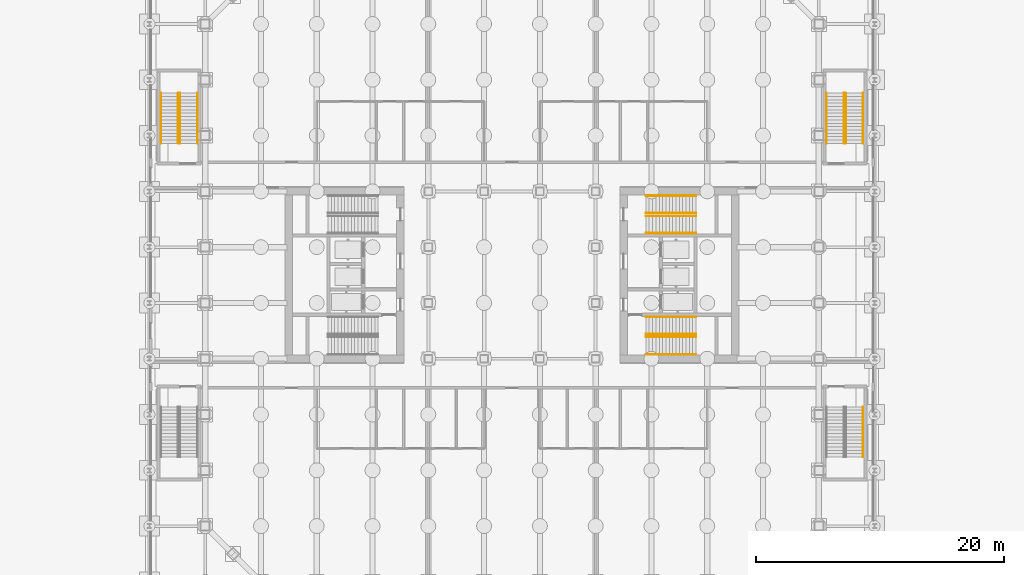
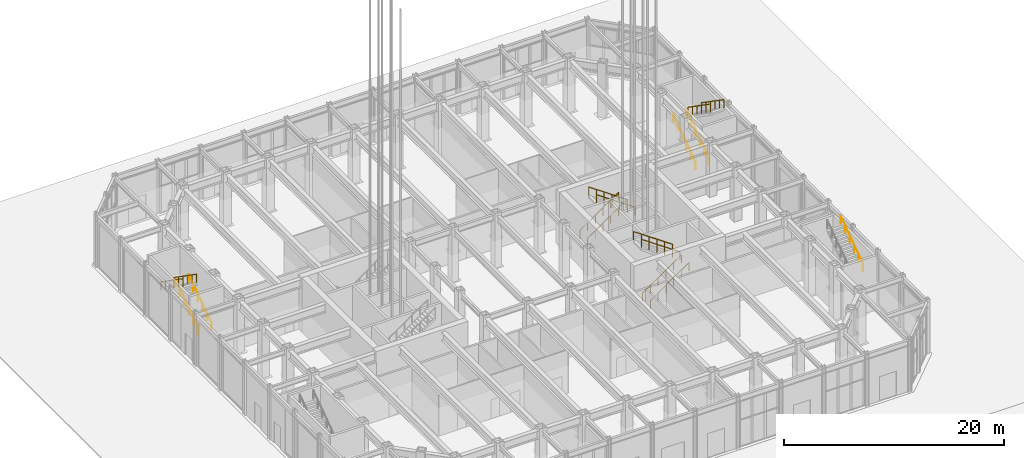
# One storey, part 38 of 39: 17 railings.
"""IFC4 building model written with IfcOpenShell, lengths in metres."""

from ifc_helpers import new_model, si_unit, direction, frame, origin, origin_2d, place, context, subcontext, project, spatial, circle, extrude, material, type_object, element, save


model = new_model("IFC4")

# Units and contexts
model_context = context("Model", 3, precision=1e-05, world=origin(), true_north=direction((0.0, 1.0)))
body_context = subcontext(model_context, "Body", "Model", "MODEL_VIEW")
ifc_project = project(units=[si_unit("LENGTHUNIT", "METRE"), si_unit("AREAUNIT", "SQUARE_METRE"), si_unit("VOLUMEUNIT", "CUBIC_METRE"), si_unit("PLANEANGLEUNIT", "RADIAN"), si_unit("MASSUNIT", "GRAM", prefix="KILO")], contexts=[model_context])

# Site, building, storey
site_placement = place(None, origin())
site = spatial("IfcSite", under=ifc_project, at=site_placement, CompositionType="ELEMENT")
building_placement = place(site_placement, origin())
building = spatial("IfcBuilding", under=site, at=building_placement, Name="Msasa Ring Tower", CompositionType="ELEMENT")
storey_placement = place(building_placement, origin())
storey = spatial("IfcBuildingStorey", under=building, at=storey_placement, Name="L00", CompositionType="ELEMENT", Elevation=0.0)

# Railings
ifc_material = material(Name="Stainless steel", Category="steel")
railing_type = type_object("IfcRailingType", Name="HR1 HANDRAIL 900", PredefinedType="HANDRAIL", material=ifc_material)
for number, where, name in (
    (1, (10.800048828125, -6.39990234375, 0.1875), "Handrail stair SEA L00 1"),
    (2, (10.800048828125, -5.0, 0.1875), "Handrail stair SEA L00 2"),
):
    element("IfcRailing", number, at=place(storey_placement, frame(where)), inside=storey, type_object=railing_type, Name=name, PredefinedType="HANDRAIL", context=body_context, shape_type="SweptSolid", body=[
        extrude(circle(Radius=0.02392578125, at=origin_2d()), frame((0.0, 0.0, 0.8759765625), z_axis=(0.821373187493, 0.0, 0.570391170047), x_axis=(0.0, 1.0, 0.0)), (0.0, 0.0, 1.0), 4.930908203125),
        extrude(circle(Radius=0.02099609375, at=origin_2d()), origin(), (0.0, 0.0, 1.0), 0.851806640625),
        extrude(circle(Radius=0.02099609375, at=origin_2d()), frame((0.81005859375, 0.0, 0.5625)), (0.0, 0.0, 1.0), 0.851806640625),
        extrude(circle(Radius=0.02099609375, at=origin_2d()), frame((1.6201171875, 0.0, 1.125)), (0.0, 0.0, 1.0), 0.851806640625),
        extrude(circle(Radius=0.02099609375, at=origin_2d()), frame((2.429931640625, 0.0, 1.6875)), (0.0, 0.0, 1.0), 0.851806640625),
        extrude(circle(Radius=0.02099609375, at=origin_2d()), frame((3.239990234375, 0.0, 2.25)), (0.0, 0.0, 1.0), 0.851806640625),
        extrude(circle(Radius=0.02099609375, at=origin_2d()), frame((4.050048828125, 0.0, 2.8125)), (0.0, 0.0, 1.0), 0.851806640625),
    ])
for number, where, name in (
    (3, (14.85009765625, -4.77490234375, 3.1875), "Handrail stair SEA L00 3"),
    (4, (14.85009765625, -3.375, 3.1875), "Handrail stair SEA L00 4"),
):
    element("IfcRailing", number, at=place(storey_placement, frame(where)), inside=storey, type_object=railing_type, Name=name, PredefinedType="HANDRAIL", context=body_context, shape_type="SweptSolid", body=[
        extrude(circle(Radius=0.02392578125, at=origin_2d()), frame((0.0, 0.0, 0.8759765625), z_axis=(-0.821373187493, 0.0, 0.570391170047), x_axis=(0.0, -1.0, 0.0)), (0.0, 0.0, 1.0), 4.930908203125),
        extrude(circle(Radius=0.02099609375, at=origin_2d()), origin(), (0.0, 0.0, 1.0), 0.851806640625),
        extrude(circle(Radius=0.02099609375, at=origin_2d()), frame((-0.81005859375, 0.0, 0.5625)), (0.0, 0.0, 1.0), 0.851806640625),
        extrude(circle(Radius=0.02099609375, at=origin_2d()), frame((-1.6201171875, 0.0, 1.125)), (0.0, 0.0, 1.0), 0.851806640625),
        extrude(circle(Radius=0.02099609375, at=origin_2d()), frame((-2.429931640625, 0.0, 1.6875)), (0.0, 0.0, 1.0), 0.851806640625),
        extrude(circle(Radius=0.02099609375, at=origin_2d()), frame((-3.239990234375, 0.0, 2.25)), (0.0, 0.0, 1.0), 0.851806640625),
        extrude(circle(Radius=0.02099609375, at=origin_2d()), frame((-4.050048828125, 0.0, 2.8125)), (0.0, 0.0, 1.0), 0.851806640625),
    ])
for number, where, name in (
    (5, (10.800048828125, 5.0, 0.1875), "Handrail stair SEB L00 1"),
    (6, (10.800048828125, 6.39990234375, 0.1875), "Handrail stair SEB L00 2"),
):
    element("IfcRailing", number, at=place(storey_placement, frame(where)), inside=storey, type_object=railing_type, Name=name, PredefinedType="HANDRAIL", context=body_context, shape_type="SweptSolid", body=[
        extrude(circle(Radius=0.02392578125, at=origin_2d()), frame((0.0, 0.0, 0.8759765625), z_axis=(0.821373187493, 0.0, 0.570391170047), x_axis=(0.0, 1.0, 0.0)), (0.0, 0.0, 1.0), 4.930908203125),
        extrude(circle(Radius=0.02099609375, at=origin_2d()), origin(), (0.0, 0.0, 1.0), 0.851806640625),
        extrude(circle(Radius=0.02099609375, at=origin_2d()), frame((0.81005859375, 0.0, 0.5625)), (0.0, 0.0, 1.0), 0.851806640625),
        extrude(circle(Radius=0.02099609375, at=origin_2d()), frame((1.6201171875, 0.0, 1.125)), (0.0, 0.0, 1.0), 0.851806640625),
        extrude(circle(Radius=0.02099609375, at=origin_2d()), frame((2.429931640625, 0.0, 1.6875)), (0.0, 0.0, 1.0), 0.851806640625),
        extrude(circle(Radius=0.02099609375, at=origin_2d()), frame((3.239990234375, 0.0, 2.25)), (0.0, 0.0, 1.0), 0.851806640625),
        extrude(circle(Radius=0.02099609375, at=origin_2d()), frame((4.050048828125, 0.0, 2.8125)), (0.0, 0.0, 1.0), 0.851806640625),
    ])
for number, where, name in (
    (7, (14.85009765625, 3.375, 3.1875), "Handrail stair SEB L00 3"),
    (8, (14.85009765625, 4.77490234375, 3.1875), "Handrail stair SEB L00 4"),
):
    element("IfcRailing", number, at=place(storey_placement, frame(where)), inside=storey, type_object=railing_type, Name=name, PredefinedType="HANDRAIL", context=body_context, shape_type="SweptSolid", body=[
        extrude(circle(Radius=0.02392578125, at=origin_2d()), frame((0.0, 0.0, 0.8759765625), z_axis=(-0.821373187493, 0.0, 0.570391170047), x_axis=(0.0, -1.0, 0.0)), (0.0, 0.0, 1.0), 4.930908203125),
        extrude(circle(Radius=0.02099609375, at=origin_2d()), origin(), (0.0, 0.0, 1.0), 0.851806640625),
        extrude(circle(Radius=0.02099609375, at=origin_2d()), frame((-0.81005859375, 0.0, 0.5625)), (0.0, 0.0, 1.0), 0.851806640625),
        extrude(circle(Radius=0.02099609375, at=origin_2d()), frame((-1.6201171875, 0.0, 1.125)), (0.0, 0.0, 1.0), 0.851806640625),
        extrude(circle(Radius=0.02099609375, at=origin_2d()), frame((-2.429931640625, 0.0, 1.6875)), (0.0, 0.0, 1.0), 0.851806640625),
        extrude(circle(Radius=0.02099609375, at=origin_2d()), frame((-3.239990234375, 0.0, 2.25)), (0.0, 0.0, 1.0), 0.851806640625),
        extrude(circle(Radius=0.02099609375, at=origin_2d()), frame((-4.050048828125, 0.0, 2.8125)), (0.0, 0.0, 1.0), 0.851806640625),
    ])
for number, where, name in (
    (9, (25.375, 10.625, 0.1875), "Handrail podium stair PEN L00 1"),
    (10, (26.77490234375, 10.625, 0.1875), "Handrail podium stair PEN L00 2"),
):
    element("IfcRailing", number, at=place(storey_placement, frame(where)), inside=storey, type_object=railing_type, Name=name, PredefinedType="HANDRAIL", context=body_context, shape_type="SweptSolid", body=[
        extrude(circle(Radius=0.02392578125, at=origin_2d()), frame((0.0, 0.0, 0.8759765625), z_axis=(0.0, 0.821373187493, 0.570391170047), x_axis=(-1.0, 0.0, 0.0)), (0.0, 0.0, 1.0), 4.930908203125),
        extrude(circle(Radius=0.02099609375, at=origin_2d()), origin(), (0.0, 0.0, 1.0), 0.851806640625),
        extrude(circle(Radius=0.02099609375, at=origin_2d()), frame((0.0, 0.81005859375, 0.5625)), (0.0, 0.0, 1.0), 0.851806640625),
        extrude(circle(Radius=0.02099609375, at=origin_2d()), frame((0.0, 1.6201171875, 1.125)), (0.0, 0.0, 1.0), 0.851806640625),
        extrude(circle(Radius=0.02099609375, at=origin_2d()), frame((0.0, 2.429931640625, 1.6875)), (0.0, 0.0, 1.0), 0.851806640625),
        extrude(circle(Radius=0.02099609375, at=origin_2d()), frame((0.0, 3.239990234375, 2.25)), (0.0, 0.0, 1.0), 0.851806640625),
        extrude(circle(Radius=0.02099609375, at=origin_2d()), frame((0.0, 4.050048828125, 2.8125)), (0.0, 0.0, 1.0), 0.851806640625),
    ])
for number, where, name in (
    (11, (26.925048828125, 14.675048828125, 3.1875), "Handrail podium stair PEN L00 3"),
    (12, (28.324951171875, 14.675048828125, 3.1875), "Handrail podium stair PEN L00 4"),
):
    element("IfcRailing", number, at=place(storey_placement, frame(where)), inside=storey, type_object=railing_type, Name=name, PredefinedType="HANDRAIL", context=body_context, shape_type="SweptSolid", body=[
        extrude(circle(Radius=0.02392578125, at=origin_2d()), frame((0.0, 0.0, 0.8759765625), z_axis=(0.0, -0.821373187493, 0.570391170047), x_axis=(1.0, 0.0, 0.0)), (0.0, 0.0, 1.0), 4.930908203125),
        extrude(circle(Radius=0.02099609375, at=origin_2d()), origin(), (0.0, 0.0, 1.0), 0.851806640625),
        extrude(circle(Radius=0.02099609375, at=origin_2d()), frame((0.0, -0.81005859375, 0.5625)), (0.0, 0.0, 1.0), 0.851806640625),
        extrude(circle(Radius=0.02099609375, at=origin_2d()), frame((0.0, -1.6201171875, 1.125)), (0.0, 0.0, 1.0), 0.851806640625),
        extrude(circle(Radius=0.02099609375, at=origin_2d()), frame((0.0, -2.429931640625, 1.6875)), (0.0, 0.0, 1.0), 0.851806640625),
        extrude(circle(Radius=0.02099609375, at=origin_2d()), frame((0.0, -3.239990234375, 2.25)), (0.0, 0.0, 1.0), 0.851806640625),
        extrude(circle(Radius=0.02099609375, at=origin_2d()), frame((0.0, -4.050048828125, 2.8125)), (0.0, 0.0, 1.0), 0.851806640625),
    ])
for number, where, name in (
    (13, (28.324951171875, -14.675048828125, 3.1875), "Handrail podium stair PES L00 4"),
    (14, (-26.77490234375, 10.625, 0.1875), "Handrail podium stair PWN L00 1"),
    (15, (-25.375, 10.625, 0.1875), "Handrail podium stair PWN L00 2"),
):
    element("IfcRailing", number, at=place(storey_placement, frame(where)), inside=storey, type_object=railing_type, Name=name, PredefinedType="HANDRAIL", context=body_context, shape_type="SweptSolid", body=[
        extrude(circle(Radius=0.02392578125, at=origin_2d()), frame((0.0, 0.0, 0.8759765625), z_axis=(0.0, 0.821373187493, 0.570391170047), x_axis=(-1.0, 0.0, 0.0)), (0.0, 0.0, 1.0), 4.930908203125),
        extrude(circle(Radius=0.02099609375, at=origin_2d()), origin(), (0.0, 0.0, 1.0), 0.851806640625),
        extrude(circle(Radius=0.02099609375, at=origin_2d()), frame((0.0, 0.81005859375, 0.5625)), (0.0, 0.0, 1.0), 0.851806640625),
        extrude(circle(Radius=0.02099609375, at=origin_2d()), frame((0.0, 1.6201171875, 1.125)), (0.0, 0.0, 1.0), 0.851806640625),
        extrude(circle(Radius=0.02099609375, at=origin_2d()), frame((0.0, 2.429931640625, 1.6875)), (0.0, 0.0, 1.0), 0.851806640625),
        extrude(circle(Radius=0.02099609375, at=origin_2d()), frame((0.0, 3.239990234375, 2.25)), (0.0, 0.0, 1.0), 0.851806640625),
        extrude(circle(Radius=0.02099609375, at=origin_2d()), frame((0.0, 4.050048828125, 2.8125)), (0.0, 0.0, 1.0), 0.851806640625),
    ])
for number, where, name in (
    (16, (-28.324951171875, 14.675048828125, 3.1875), "Handrail podium stair PWN L00 3"),
    (17, (-26.925048828125, 14.675048828125, 3.1875), "Handrail podium stair PWN L00 4"),
):
    element("IfcRailing", number, at=place(storey_placement, frame(where)), inside=storey, type_object=railing_type, Name=name, PredefinedType="HANDRAIL", context=body_context, shape_type="SweptSolid", body=[
        extrude(circle(Radius=0.02392578125, at=origin_2d()), frame((0.0, 0.0, 0.8759765625), z_axis=(0.0, -0.821373187493, 0.570391170047), x_axis=(1.0, 0.0, 0.0)), (0.0, 0.0, 1.0), 4.930908203125),
        extrude(circle(Radius=0.02099609375, at=origin_2d()), origin(), (0.0, 0.0, 1.0), 0.851806640625),
        extrude(circle(Radius=0.02099609375, at=origin_2d()), frame((0.0, -0.81005859375, 0.5625)), (0.0, 0.0, 1.0), 0.851806640625),
        extrude(circle(Radius=0.02099609375, at=origin_2d()), frame((0.0, -1.6201171875, 1.125)), (0.0, 0.0, 1.0), 0.851806640625),
        extrude(circle(Radius=0.02099609375, at=origin_2d()), frame((0.0, -2.429931640625, 1.6875)), (0.0, 0.0, 1.0), 0.851806640625),
        extrude(circle(Radius=0.02099609375, at=origin_2d()), frame((0.0, -3.239990234375, 2.25)), (0.0, 0.0, 1.0), 0.851806640625),
        extrude(circle(Radius=0.02099609375, at=origin_2d()), frame((0.0, -4.050048828125, 2.8125)), (0.0, 0.0, 1.0), 0.851806640625),
    ])

save(model, "model.ifc")
